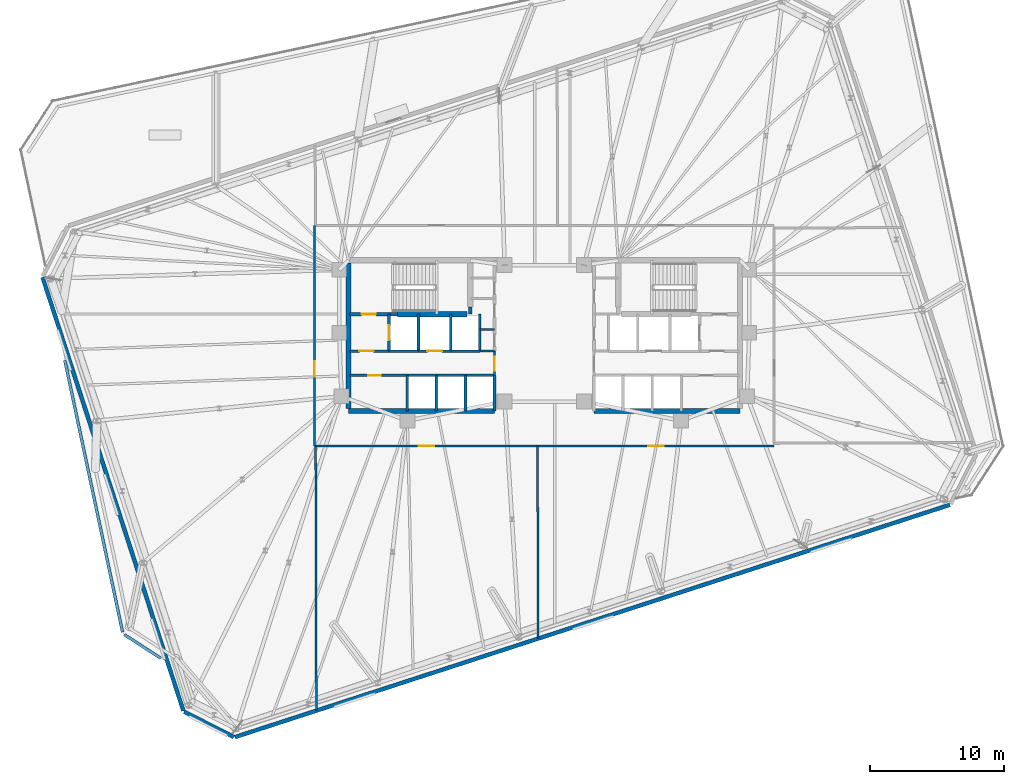
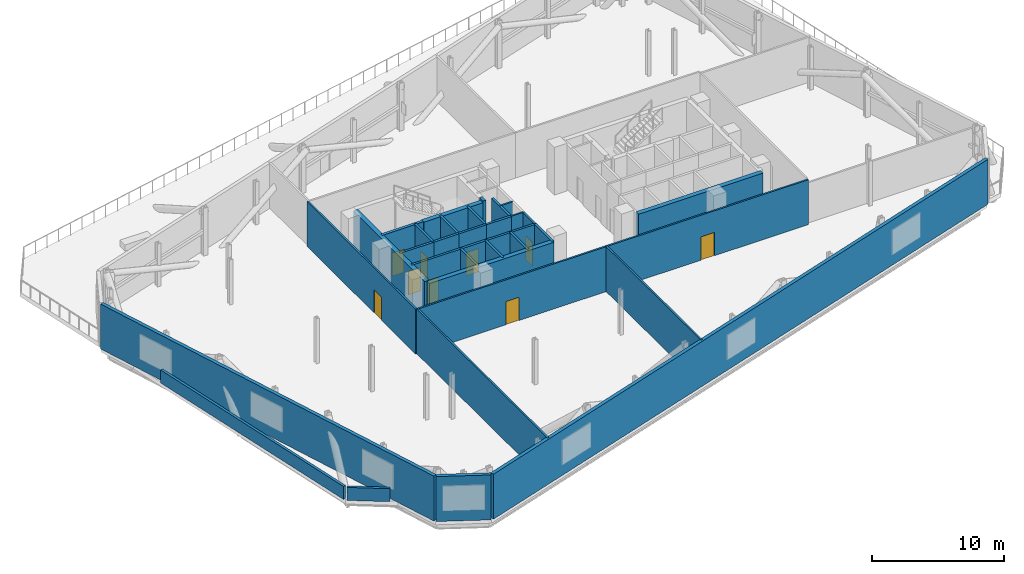
# One storey, part 13 of 16: 32 walls, 9 doors, 9 openings.
"""IFC4 building model written with IfcOpenShell, lengths in metres."""

from ifc_helpers import new_model, si_unit, direction, frame, frame_2d, origin, place, context, subcontext, project, spatial, rectangle, extrude, material, layer, layer_set, type_object, element, fill, save


model = new_model("IFC4")

# Units and contexts
model_context = context("Model", 3, precision=1e-05, world=origin(), true_north=direction((0.0, 1.0)))
body_context = subcontext(model_context, "Body", "Model", "MODEL_VIEW")
ifc_project = project(units=[si_unit("LENGTHUNIT", "METRE"), si_unit("AREAUNIT", "SQUARE_METRE"), si_unit("VOLUMEUNIT", "CUBIC_METRE"), si_unit("PLANEANGLEUNIT", "RADIAN"), si_unit("MASSUNIT", "GRAM", prefix="KILO")], contexts=[model_context])

# Site, building, storey
site_placement = place(None, origin())
site = spatial("IfcSite", under=ifc_project, at=site_placement, CompositionType="ELEMENT")
building_placement = place(site_placement, origin())
building = spatial("IfcBuilding", under=site, at=building_placement, Name="Menara Jurai Vektor", CompositionType="ELEMENT")
storey_placement = place(building_placement, frame((0.0, 0.0, 202.39990234375)))
storey = spatial("IfcBuildingStorey", under=building, at=storey_placement, Name="L53", CompositionType="ELEMENT", Elevation=202.39990234375)

# Walls
ifc_material_1 = material(Name="Insulated Pale Aluminium Spandrel Wall", Category="aluminium")
ifc_layer_1 = layer(ifc_material_1, 0.300048828125)
ifc_layer_set_1 = layer_set([ifc_layer_1], Name="Insulated Pale Aluminium Spandrel Wall")
wall_type_1 = type_object("IfcWallType", Name="ENV-WALL-EXT300", PredefinedType="STANDARD", material=ifc_layer_set_1)
wall_1_placement = place(storey_placement, frame((-23.00634765625, -29.859619140625, 0.0), z_axis=(0.0, 0.0, 1.0), x_axis=(0.951056336628, 0.309017547334, 0.0)))
element("IfcWall", 1, at=wall_1_placement, inside=storey, type_object=wall_type_1, Name="Plant Floor Enclosure Wall L53-01", PredefinedType="STANDARD", context=body_context, shape_type="SweptSolid", body=[
    extrude(rectangle(XDim=55.90966796875, YDim=0.300048828125, at=frame_2d((27.954833984375, 0.0))), origin(), (0.0, 0.0, 1.0), 4.150146484375),
])
wall_2_placement = place(storey_placement, frame((-37.322021484375, 4.345703125, 0.0), z_axis=(0.0, 0.0, 1.0), x_axis=(0.309008906067, -0.951059144308, 0.0)))
element("IfcWall", 2, at=wall_2_placement, inside=storey, type_object=wall_type_1, Name="Plant Floor Enclosure Wall L53-07", PredefinedType="STANDARD", context=body_context, shape_type="SweptSolid", body=[
    extrude(rectangle(XDim=33.91015625, YDim=0.300048828125, at=frame_2d((16.955078125, 0.0))), origin(), (0.0, 0.0, 1.0), 4.150146484375),
])
wall_3_placement = place(storey_placement, frame((-26.789306640625, -27.968017578125, 0.0), z_axis=(0.0, 0.0, 1.0), x_axis=(0.891003151549, -0.453997118856, 0.0)))
element("IfcWall", 3, at=wall_3_placement, inside=storey, type_object=wall_type_1, Name="Plant Floor Enclosure Wall L53-08", PredefinedType="STANDARD", context=body_context, shape_type="SweptSolid", body=[
    extrude(rectangle(XDim=4.152587890625, YDim=0.300048828125, at=frame_2d((2.076171875, 0.0))), origin(), (0.0, 0.0, 1.0), 4.150146484375),
])
ifc_material_2 = material(Name="Concrete C40/50", Category="concrete")
ifc_layer_2 = layer(ifc_material_2, 0.219970703125)
ifc_layer_set_2 = layer_set([ifc_layer_2], Name="Concrete C40/50")
wall_type_2 = type_object("IfcWallType", Name="ENV-WALL-PARAPET220", PredefinedType="PARAPET", material=ifc_layer_set_2)
wall_4_placement = place(storey_placement, frame((-35.66259765625, -1.8388671875, 0.0), z_axis=(0.0, 0.0, 1.0), x_axis=(0.207913740762, -0.978147165002, 0.0)))
element("IfcWall", 4, at=wall_4_placement, inside=storey, type_object=wall_type_2, Name="Roof Parapet Wall L53-SETBACK-02", PredefinedType="PARAPET", context=body_context, shape_type="SweptSolid", body=[
    extrude(rectangle(XDim=20.6572265625, YDim=0.219970703125, at=frame_2d((10.32861328125, 0.0))), origin(), (0.0, 0.0, 1.0), 1.2001953125),
])
wall_5_placement = place(storey_placement, frame((-31.240966796875, -22.22900390625, 0.0), z_axis=(0.0, 0.0, 1.0), x_axis=(0.838666369731, -0.544645499643, 0.0)))
element("IfcWall", 5, at=wall_5_placement, inside=storey, type_object=wall_type_2, Name="Roof Parapet Wall L53-SETBACK-03", PredefinedType="PARAPET", context=body_context, shape_type="SweptSolid", body=[
    extrude(rectangle(XDim=3.229248046875, YDim=0.219970703125, at=frame_2d((1.61474609375, 0.0))), origin(), (0.0, 0.0, 1.0), 1.2001953125),
])

# Wall, opening, door
ifc_layer_3 = layer(ifc_material_2, 0.25)
ifc_layer_set_3 = layer_set([ifc_layer_3], Name="Concrete C40/50")
wall_type_3 = type_object("IfcWallType", Name="INT-WALL-CORE-250", PredefinedType="STANDARD", material=ifc_layer_set_3)
wall_6_placement = place(storey_placement, frame((-14.5, 1.60009765625, 0.0), z_axis=(0.0, 0.0, 1.0), x_axis=(1.0, 0.0, 0.0)))
wall_6 = element("IfcWall", 6, at=wall_6_placement, inside=storey, type_object=wall_type_3, Name="Interior Wall IW-250 L53", PredefinedType="STANDARD", context=body_context, shape_type="SweptSolid", body=[
    extrude(rectangle(XDim=3.60009765625, YDim=0.25, at=frame_2d((1.800048828125, 0.0))), origin(), (0.0, 0.0, 1.0), 4.150146484375),
])
opening_1_placement = place(wall_6_placement, frame((0.919921875, 0.0, 0.0)))
opening_1 = element("IfcOpeningElement", 7, at=opening_1_placement, cuts=wall_6, Name="Opening D-L53-ST1", PredefinedType="OPENING", context=body_context, shape_type="SweptSolid", body=[
    extrude(rectangle(XDim=1.050048828125, YDim=2.14990234375, at=frame_2d((0.52490234375, 1.074951171875))), frame((0.0, 0.135009765625, 0.0), z_axis=(0.0, -1.0, 0.0), x_axis=(1.0, 0.0, 0.0)), (0.0, 0.0, 1.0), 0.27001953125),
])
ifc_material_3 = material(Name="Fire-Rated Steel Door", Category="steel")
door_type_1 = type_object("IfcDoorType", Name="DR-STAIR-1050", OperationType="NOTDEFINED", PredefinedType="DOOR", material=ifc_material_3)
door_1_placement = place(opening_1_placement, origin())
door_1 = element("IfcDoor", 8, at=door_1_placement, inside=storey, type_object=door_type_1, Name="Exit Stair ST1 Door L53", OperationType="SINGLE_SWING_RIGHT", OverallHeight=2.14990234375, OverallWidth=1.050048828125, PredefinedType="DOOR", context=body_context, shape_type="SweptSolid", body=[
    extrude(rectangle(XDim=1.050048828125, YDim=2.14990234375, at=frame_2d((0.52490234375, 1.074951171875))), frame((0.0, 0.02490234375, 0.0), z_axis=(0.0, -1.0, 0.0), x_axis=(1.0, 0.0, 0.0)), (0.0, 0.0, 1.0), 0.050048828125),
])
fill(opening_1, door_1)

# Wall
wall_7_placement = place(storey_placement, frame((-5.5, 1.60009765625, 0.0), z_axis=(0.0, 0.0, 1.0), x_axis=(0.0, 1.0, 0.0)))
element("IfcWall", 9, at=wall_7_placement, inside=storey, type_object=wall_type_3, Name="Interior Wall IW-250 L53", PredefinedType="STANDARD", context=body_context, shape_type="SweptSolid", body=[
    extrude(rectangle(XDim=0.5498046875, YDim=0.25, at=frame_2d((0.27490234375, 0.0))), origin(), (0.0, 0.0, 1.0), 4.150146484375),
])

# Wall, opening, door
wall_8_placement = place(storey_placement, frame((-11.550048828125, -1.14990234375, 0.0), z_axis=(0.0, 0.0, 1.0), x_axis=(0.0, 1.0, 0.0)))
wall_8 = element("IfcWall", 10, at=wall_8_placement, inside=storey, type_object=wall_type_3, Name="Interior Wall IW-250 L53", PredefinedType="STANDARD", context=body_context, shape_type="SweptSolid", body=[
    extrude(rectangle(XDim=2.75, YDim=0.199951171875, at=frame_2d((1.375, 0.0))), origin(), (0.0, 0.0, 1.0), 4.150146484375),
])
opening_2_placement = place(wall_8_placement, frame((0.824951171875, 0.0, 0.0)))
opening_2 = element("IfcOpeningElement", 11, at=opening_2_placement, cuts=wall_8, Name="Opening LD-L53-FL1", PredefinedType="OPENING", context=body_context, shape_type="SweptSolid", body=[
    extrude(rectangle(XDim=1.10009765625, YDim=2.14990234375, at=frame_2d((0.550048828125, 1.074951171875))), frame((0.0, 0.10986328125, 0.0), z_axis=(0.0, -1.0, 0.0), x_axis=(1.0, 0.0, 0.0)), (0.0, 0.0, 1.0), 0.219970703125),
])
ifc_material_4 = material(Name="Stainless Steel Sliding Lift Landing Door", Category="steel")
door_type_2 = type_object("IfcDoorType", Name="DR-LIFT-FIRE-1100", OperationType="NOTDEFINED", PredefinedType="DOOR", material=ifc_material_4)
door_2_placement = place(opening_2_placement, origin())
door_2 = element("IfcDoor", 12, at=door_2_placement, inside=storey, type_object=door_type_2, Name="Lift Landing Door FL1 L53", OperationType="SLIDING_TO_RIGHT", OverallHeight=2.14990234375, OverallWidth=1.10009765625, PredefinedType="DOOR", context=body_context, shape_type="SweptSolid", body=[
    extrude(rectangle(XDim=1.10009765625, YDim=2.14990234375, at=frame_2d((0.550048828125, 1.074951171875))), frame((0.0, 0.02490234375, 0.0), z_axis=(0.0, -1.0, 0.0), x_axis=(1.0, 0.0, 0.0)), (0.0, 0.0, 1.0), 0.050048828125),
])
fill(opening_2, door_2)

# Wall
wall_9_placement = place(storey_placement, frame((-9.35009765625, -1.14990234375, 0.0), z_axis=(0.0, 0.0, 1.0), x_axis=(0.0, 1.0, 0.0)))
element("IfcWall", 13, at=wall_9_placement, inside=storey, type_object=wall_type_3, Name="Interior Wall IW-250 L53", PredefinedType="STANDARD", context=body_context, shape_type="SweptSolid", body=[
    extrude(rectangle(XDim=2.75, YDim=0.199951171875, at=frame_2d((1.375, 0.0))), origin(), (0.0, 0.0, 1.0), 4.150146484375),
])

# Wall, opening, door
wall_10_placement = place(storey_placement, frame((-14.5, -1.14990234375, 0.0), z_axis=(0.0, 0.0, 1.0), x_axis=(1.0, 0.0, 0.0)))
wall_10 = element("IfcWall", 14, at=wall_10_placement, inside=storey, type_object=wall_type_3, Name="Interior Wall IW-250 L53", PredefinedType="STANDARD", context=body_context, shape_type="SweptSolid", body=[
    extrude(rectangle(XDim=2.949951171875, YDim=0.199951171875, at=frame_2d((1.47509765625, 0.0))), origin(), (0.0, 0.0, 1.0), 4.150146484375),
])
opening_3_placement = place(wall_10_placement, frame((0.75, 0.0, 0.0)))
opening_3 = element("IfcOpeningElement", 15, at=opening_3_placement, cuts=wall_10, Name="Opening D-L53-FFW", PredefinedType="OPENING", context=body_context, shape_type="SweptSolid", body=[
    extrude(rectangle(XDim=1.050048828125, YDim=2.179931640625, at=frame_2d((0.52490234375, 1.08984375))), frame((0.0, 0.10986328125, 0.0), z_axis=(0.0, -1.0, 0.0), x_axis=(1.0, 0.0, 0.0)), (0.0, 0.0, 1.0), 0.219970703125),
])
ifc_material_5 = material(Name="Fire-Rated Timber Door", Category="wood")
door_type_3 = type_object("IfcDoorType", Name="DR-LOBBY-1050", OperationType="NOTDEFINED", PredefinedType="DOOR", material=ifc_material_5)
door_3_placement = place(opening_3_placement, origin())
door_3 = element("IfcDoor", 16, at=door_3_placement, inside=storey, type_object=door_type_3, Name="Fire Lift Lobby Door W L53", OperationType="SINGLE_SWING_RIGHT", OverallHeight=2.179931640625, OverallWidth=1.050048828125, PredefinedType="DOOR", context=body_context, shape_type="SweptSolid", body=[
    extrude(rectangle(XDim=1.050048828125, YDim=2.179931640625, at=frame_2d((0.52490234375, 1.08984375))), frame((0.0, 0.02490234375, 0.0), z_axis=(0.0, -1.0, 0.0), x_axis=(1.0, 0.0, 0.0)), (0.0, 0.0, 1.0), 0.050048828125),
])
fill(opening_3, door_3)

# Wall
wall_11_placement = place(storey_placement, frame((-11.550048828125, -1.14990234375, 0.0), z_axis=(0.0, 0.0, 1.0), x_axis=(1.0, 0.0, 0.0)))
element("IfcWall", 17, at=wall_11_placement, inside=storey, type_object=wall_type_3, Name="Interior Wall IW-250 L53", PredefinedType="STANDARD", context=body_context, shape_type="SweptSolid", body=[
    extrude(rectangle(XDim=2.199951171875, YDim=0.199951171875, at=frame_2d((1.10009765625, 0.0))), origin(), (0.0, 0.0, 1.0), 4.150146484375),
])

# Wall, opening, door
ifc_material_6 = material(Name="Gypsum Fireboard Partition", Category="gypsum")
ifc_layer_4 = layer(ifc_material_6, 0.14990234375)
ifc_layer_set_4 = layer_set([ifc_layer_4], Name="Gypsum Fireboard Partition")
wall_type_4 = type_object("IfcWallType", Name="INT-WALL-CORR-150", PredefinedType="PARTITIONING", material=ifc_layer_set_4)
wall_12_placement = place(storey_placement, frame((-3.699951171875, -2.949951171875, 0.0), z_axis=(0.0, 0.0, 1.0), x_axis=(0.0, 1.0, 0.0)))
wall_12 = element("IfcWall", 18, at=wall_12_placement, inside=storey, type_object=wall_type_4, Name="Interior Wall IW-150 L53", PredefinedType="PARTITIONING", context=body_context, shape_type="SweptSolid", body=[
    extrude(rectangle(XDim=1.800048828125, YDim=0.14990234375, at=frame_2d((0.89990234375, 0.0))), origin(), (0.0, 0.0, 1.0), 4.150146484375),
])
opening_4_placement = place(wall_12_placement, frame((0.35009765625, 0.0, 0.0)))
opening_4 = element("IfcOpeningElement", 19, at=opening_4_placement, cuts=wall_12, Name="Opening D-L53-LLW", PredefinedType="OPENING", context=body_context, shape_type="SweptSolid", body=[
    extrude(rectangle(XDim=1.050048828125, YDim=2.179931640625, at=frame_2d((0.52490234375, 1.08984375))), frame((0.0, 0.0849609375, 0.0), z_axis=(0.0, -1.0, 0.0), x_axis=(1.0, 0.0, 0.0)), (0.0, 0.0, 1.0), 0.169921875),
])
door_4_placement = place(opening_4_placement, origin())
door_4 = element("IfcDoor", 20, at=door_4_placement, inside=storey, type_object=door_type_3, Name="Lift Lobby Corridor Door W L53", OperationType="SINGLE_SWING_LEFT", OverallHeight=2.179931640625, OverallWidth=1.050048828125, PredefinedType="DOOR", context=body_context, shape_type="SweptSolid", body=[
    extrude(rectangle(XDim=1.050048828125, YDim=2.179931640625, at=frame_2d((0.52490234375, 1.08984375))), frame((0.0, 0.02490234375, 0.0), z_axis=(0.0, -1.0, 0.0), x_axis=(1.0, 0.0, 0.0)), (0.0, 0.0, 1.0), 0.050048828125),
])
fill(opening_4, door_4)

# Walls
for number, where, z_axis, x_axis, name in (
    (21, (-4.7900390625, -1.14990234375, 0.0), (0.0, 0.0, 1.0), (1.0, 0.0, 0.0), "Interior Wall IW-150 L53"),
    (22, (-4.7900390625, 0.449951171875, 0.0), (0.0, 0.0, 1.0), (1.0, 0.0, 0.0), "Interior Wall IW-150 L53"),
):
    element("IfcWall", number, at=place(storey_placement, frame(where, z_axis=z_axis, x_axis=x_axis)), inside=storey, type_object=wall_type_4, Name=name, PredefinedType="PARTITIONING", context=body_context, shape_type="SweptSolid", body=[
        extrude(rectangle(XDim=1.090087890625, YDim=0.14990234375, at=frame_2d((0.544921875, 0.0))), origin(), (0.0, 0.0, 1.0), 4.150146484375),
    ])

# Wall, opening, door
wall_13_placement = place(storey_placement, frame((-17.0, -8.199951171875, 0.0), z_axis=(0.0, 0.0, 1.0), x_axis=(1.0, 0.0, 0.0)))
wall_13 = element("IfcWall", 23, at=wall_13_placement, inside=storey, type_object=wall_type_4, Name="Interior Wall IW-150 L53", PredefinedType="PARTITIONING", context=body_context, shape_type="SweptSolid", body=[
    extrude(rectangle(XDim=16.5, YDim=0.14990234375, at=frame_2d((8.25, 0.0))), origin(), (0.0, 0.0, 1.0), 4.150146484375),
])
opening_5_placement = place(wall_13_placement, frame((7.675048828125, 0.0, 0.0)))
opening_5 = element("IfcOpeningElement", 24, at=opening_5_placement, cuts=wall_13, Name="Opening D53-10", PredefinedType="OPENING", context=body_context, shape_type="SweptSolid", body=[
    extrude(rectangle(XDim=1.14990234375, YDim=2.14990234375, at=frame_2d((0.574951171875, 1.074951171875))), frame((0.0, 0.0849609375, 0.0), z_axis=(0.0, -1.0, 0.0), x_axis=(1.0, 0.0, 0.0)), (0.0, 0.0, 1.0), 0.169921875),
])
ifc_material_7 = material(Name="Fire-Rated Steel Plant Door", Category="steel")
door_type_4 = type_object("IfcDoorType", Name="DR-PLANT-1150", OperationType="NOTDEFINED", PredefinedType="DOOR", material=ifc_material_7)
door_5_placement = place(opening_5_placement, origin())
door_5 = element("IfcDoor", 25, at=door_5_placement, inside=storey, type_object=door_type_4, Name="Interior Door D53-10", OperationType="SINGLE_SWING_LEFT", OverallHeight=2.14990234375, OverallWidth=1.14990234375, PredefinedType="DOOR", context=body_context, shape_type="SweptSolid", body=[
    extrude(rectangle(XDim=1.14990234375, YDim=2.14990234375, at=frame_2d((0.574951171875, 1.074951171875))), frame((0.0, 0.02490234375, 0.0), z_axis=(0.0, -1.0, 0.0), x_axis=(1.0, 0.0, 0.0)), (0.0, 0.0, 1.0), 0.050048828125),
])
fill(opening_5, door_5)

wall_14_placement = place(storey_placement, frame((-0.5, -8.199951171875, 0.0), z_axis=(0.0, 0.0, 1.0), x_axis=(1.0, 0.0, 0.0)))
wall_14 = element("IfcWall", 26, at=wall_14_placement, inside=storey, type_object=wall_type_4, Name="Interior Wall IW-150 L53", PredefinedType="PARTITIONING", context=body_context, shape_type="SweptSolid", body=[
    extrude(rectangle(XDim=17.60009765625, YDim=0.14990234375, at=frame_2d((8.800048828125, 0.0))), origin(), (0.0, 0.0, 1.0), 4.150146484375),
])
opening_6_placement = place(wall_14_placement, frame((8.22509765625, 0.0, 0.0)))
opening_6 = element("IfcOpeningElement", 27, at=opening_6_placement, cuts=wall_14, Name="Opening D53-11", PredefinedType="OPENING", context=body_context, shape_type="SweptSolid", body=[
    extrude(rectangle(XDim=1.14990234375, YDim=2.14990234375, at=frame_2d((0.574951171875, 1.074951171875))), frame((0.0, 0.0849609375, 0.0), z_axis=(0.0, -1.0, 0.0), x_axis=(1.0, 0.0, 0.0)), (0.0, 0.0, 1.0), 0.169921875),
])
door_6_placement = place(opening_6_placement, origin())
door_6 = element("IfcDoor", 28, at=door_6_placement, inside=storey, type_object=door_type_4, Name="Interior Door D53-11", OperationType="SINGLE_SWING_RIGHT", OverallHeight=2.14990234375, OverallWidth=1.14990234375, PredefinedType="DOOR", context=body_context, shape_type="SweptSolid", body=[
    extrude(rectangle(XDim=1.14990234375, YDim=2.14990234375, at=frame_2d((0.574951171875, 1.074951171875))), frame((0.0, 0.02490234375, 0.0), z_axis=(0.0, -1.0, 0.0), x_axis=(1.0, 0.0, 0.0)), (0.0, 0.0, 1.0), 0.050048828125),
])
fill(opening_6, door_6)

wall_15_placement = place(storey_placement, frame((-17.10009765625, -8.199951171875, 0.0), z_axis=(0.0, 0.0, 1.0), x_axis=(0.0, 1.0, 0.0)))
wall_15 = element("IfcWall", 29, at=wall_15_placement, inside=storey, type_object=wall_type_4, Name="Interior Wall IW-150 L53", PredefinedType="PARTITIONING", context=body_context, shape_type="SweptSolid", body=[
    extrude(rectangle(XDim=16.39990234375, YDim=0.14990234375, at=frame_2d((8.199951171875, 0.0))), origin(), (0.0, 0.0, 1.0), 4.150146484375),
])
opening_7_placement = place(wall_15_placement, frame((5.1650390625, 0.0, 0.0)))
opening_7 = element("IfcOpeningElement", 30, at=opening_7_placement, cuts=wall_15, Name="Opening D53-12", PredefinedType="OPENING", context=body_context, shape_type="SweptSolid", body=[
    extrude(rectangle(XDim=1.14990234375, YDim=2.14990234375, at=frame_2d((0.574951171875, 1.074951171875))), frame((0.0, 0.0849609375, 0.0), z_axis=(0.0, -1.0, 0.0), x_axis=(1.0, 0.0, 0.0)), (0.0, 0.0, 1.0), 0.169921875),
])
door_7_placement = place(opening_7_placement, origin())
door_7 = element("IfcDoor", 31, at=door_7_placement, inside=storey, type_object=door_type_4, Name="Interior Door D53-12", OperationType="SINGLE_SWING_LEFT", OverallHeight=2.14990234375, OverallWidth=1.14990234375, PredefinedType="DOOR", context=body_context, shape_type="SweptSolid", body=[
    extrude(rectangle(XDim=1.14990234375, YDim=2.14990234375, at=frame_2d((0.574951171875, 1.074951171875))), frame((0.0, 0.02490234375, 0.0), z_axis=(0.0, -1.0, 0.0), x_axis=(1.0, 0.0, 0.0)), (0.0, 0.0, 1.0), 0.050048828125),
])
fill(opening_7, door_7)

# Walls
wall_16_placement = place(storey_placement, frame((-0.45361328125, -22.53173828125, 0.0), z_axis=(0.0, 0.0, 1.0), x_axis=(-0.003236614906, 0.999994762148, 0.0)))
element("IfcWall", 32, at=wall_16_placement, inside=storey, type_object=wall_type_4, Name="Interior Wall IW-150 L53", PredefinedType="PARTITIONING", context=body_context, shape_type="SweptSolid", body=[
    extrude(rectangle(XDim=14.331787109375, YDim=0.14990234375, at=frame_2d((7.166015625, 0.0))), origin(), (0.0, 0.0, 1.0), 4.150146484375),
])
wall_17_placement = place(storey_placement, frame((-16.95361328125, -27.89306640625, 0.0), z_axis=(0.0, 0.0, 1.0), x_axis=(-0.002355472434, 0.999997225871, 0.0)))
element("IfcWall", 33, at=wall_17_placement, inside=storey, type_object=wall_type_4, Name="Interior Wall IW-150 L53", PredefinedType="PARTITIONING", context=body_context, shape_type="SweptSolid", body=[
    extrude(rectangle(XDim=19.693115234375, YDim=0.14990234375, at=frame_2d((9.8466796875, 0.0))), origin(), (0.0, 0.0, 1.0), 4.150146484375),
])
ifc_layer_5 = layer(ifc_material_2, 0.199951171875)
ifc_layer_set_5 = layer_set([ifc_layer_5], Name="Concrete C40/50")
wall_type_5 = type_object("IfcWallType", Name="INT-WALL-SHAFT-200", PredefinedType="STANDARD", material=ifc_layer_set_5)
wall_18_placement = place(storey_placement, frame((-3.699951171875, -5.60009765625, 0.0), z_axis=(0.0, 0.0, 1.0), x_axis=(0.0, 1.0, 0.0)))
element("IfcWall", 34, at=wall_18_placement, inside=storey, type_object=wall_type_5, Name="Interior Wall IW-200 L53", PredefinedType="STANDARD", context=body_context, shape_type="SweptSolid", body=[
    extrude(rectangle(XDim=2.650146484375, YDim=0.199951171875, at=frame_2d((1.3251953125, 0.0))), origin(), (0.0, 0.0, 1.0), 4.150146484375),
])
wall_19_placement = place(storey_placement, frame((-6.949951171875, -1.14990234375, 0.0), z_axis=(0.0, 0.0, 1.0), x_axis=(0.0, 1.0, 0.0)))
element("IfcWall", 35, at=wall_19_placement, inside=storey, type_object=wall_type_5, Name="Interior Wall IW-200 L53", PredefinedType="STANDARD", context=body_context, shape_type="SweptSolid", body=[
    extrude(rectangle(XDim=2.75, YDim=0.199951171875, at=frame_2d((1.375, 0.0))), origin(), (0.0, 0.0, 1.0), 4.150146484375),
])

# Wall, opening, door
wall_20_placement = place(storey_placement, frame((-9.35009765625, -1.14990234375, 0.0), z_axis=(0.0, 0.0, 1.0), x_axis=(1.0, 0.0, 0.0)))
wall_20 = element("IfcWall", 36, at=wall_20_placement, inside=storey, type_object=wall_type_5, Name="Interior Wall IW-200 L53", PredefinedType="STANDARD", context=body_context, shape_type="SweptSolid", body=[
    extrude(rectangle(XDim=2.400146484375, YDim=0.199951171875, at=frame_2d((1.2001953125, 0.0))), origin(), (0.0, 0.0, 1.0), 4.150146484375),
])
opening_8_placement = place(wall_20_placement, frame((0.64990234375, 0.0, 0.0)))
opening_8 = element("IfcOpeningElement", 37, at=opening_8_placement, cuts=wall_20, Name="Opening LD-L53-SVL1", PredefinedType="OPENING", context=body_context, shape_type="SweptSolid", body=[
    extrude(rectangle(XDim=1.10009765625, YDim=2.14990234375, at=frame_2d((0.550048828125, 1.074951171875))), frame((0.0, 0.10986328125, 0.0), z_axis=(0.0, -1.0, 0.0), x_axis=(1.0, 0.0, 0.0)), (0.0, 0.0, 1.0), 0.219970703125),
])
ifc_material_8 = material(Name="Anodised Stainless Sliding Lift Landing Door", Category="steel")
door_type_5 = type_object("IfcDoorType", Name="DR-LIFT-PASS-1100", OperationType="NOTDEFINED", PredefinedType="DOOR", material=ifc_material_8)
door_8_placement = place(opening_8_placement, origin())
door_8 = element("IfcDoor", 38, at=door_8_placement, inside=storey, type_object=door_type_5, Name="Lift Landing Door SVL1 L53", OperationType="SLIDING_TO_RIGHT", OverallHeight=2.14990234375, OverallWidth=1.10009765625, PredefinedType="DOOR", context=body_context, shape_type="SweptSolid", body=[
    extrude(rectangle(XDim=1.10009765625, YDim=2.14990234375, at=frame_2d((0.550048828125, 1.074951171875))), frame((0.0, 0.02490234375, 0.0), z_axis=(0.0, -1.0, 0.0), x_axis=(1.0, 0.0, 0.0)), (0.0, 0.0, 1.0), 0.050048828125),
])
fill(opening_8, door_8)

# Walls
wall_21_placement = place(storey_placement, frame((-4.7900390625, -1.14990234375, 0.0), z_axis=(0.0, 0.0, 1.0), x_axis=(0.0, 1.0, 0.0)))
element("IfcWall", 39, at=wall_21_placement, inside=storey, type_object=wall_type_5, Name="Interior Wall IW-200 L53", PredefinedType="STANDARD", context=body_context, shape_type="SweptSolid", body=[
    extrude(rectangle(XDim=2.75, YDim=0.199951171875, at=frame_2d((1.375, 0.0))), origin(), (0.0, 0.0, 1.0), 4.150146484375),
])
wall_22_placement = place(storey_placement, frame((-6.949951171875, -1.14990234375, 0.0), z_axis=(0.0, 0.0, 1.0), x_axis=(1.0, 0.0, 0.0)))
element("IfcWall", 40, at=wall_22_placement, inside=storey, type_object=wall_type_5, Name="Interior Wall IW-200 L53", PredefinedType="STANDARD", context=body_context, shape_type="SweptSolid", body=[
    extrude(rectangle(XDim=2.159912109375, YDim=0.199951171875, at=frame_2d((1.080078125, 0.0))), origin(), (0.0, 0.0, 1.0), 4.150146484375),
])

# Wall, opening, door
wall_23_placement = place(storey_placement, frame((-14.5, -2.949951171875, 0.0), z_axis=(0.0, 0.0, 1.0), x_axis=(1.0, 0.0, 0.0)))
wall_23 = element("IfcWall", 41, at=wall_23_placement, inside=storey, type_object=wall_type_5, Name="Interior Wall IW-200 L53", PredefinedType="STANDARD", context=body_context, shape_type="SweptSolid", body=[
    extrude(rectangle(XDim=10.800048828125, YDim=0.199951171875, at=frame_2d((5.39990234375, 0.0))), origin(), (0.0, 0.0, 1.0), 4.150146484375),
])
opening_9_placement = place(wall_23_placement, frame((1.39990234375, 0.0, 0.0)))
opening_9 = element("IfcOpeningElement", 42, at=opening_9_placement, cuts=wall_23, Name="Opening D53-01", PredefinedType="OPENING", context=body_context, shape_type="SweptSolid", body=[
    extrude(rectangle(XDim=0.949951171875, YDim=2.14990234375, at=frame_2d((0.47509765625, 1.074951171875))), frame((0.0, 0.10986328125, 0.0), z_axis=(0.0, -1.0, 0.0), x_axis=(1.0, 0.0, 0.0)), (0.0, 0.0, 1.0), 0.219970703125),
])
ifc_material_9 = material(Name="Solid Core Timber Fire Door", Category="wood")
door_type_6 = type_object("IfcDoorType", Name="DR-ENTRY-950", OperationType="NOTDEFINED", PredefinedType="DOOR", material=ifc_material_9)
door_9_placement = place(opening_9_placement, origin())
door_9 = element("IfcDoor", 43, at=door_9_placement, inside=storey, type_object=door_type_6, Name="Interior Door D53-01", OperationType="SINGLE_SWING_LEFT", OverallHeight=2.14990234375, OverallWidth=0.949951171875, PredefinedType="DOOR", context=body_context, shape_type="SweptSolid", body=[
    extrude(rectangle(XDim=0.949951171875, YDim=2.14990234375, at=frame_2d((0.47509765625, 1.074951171875))), frame((0.0, 0.02490234375, 0.0), z_axis=(0.0, -1.0, 0.0), x_axis=(1.0, 0.0, 0.0)), (0.0, 0.0, 1.0), 0.050048828125),
])
fill(opening_9, door_9)

# Walls
wall_24_placement = place(storey_placement, frame((-5.860107421875, -5.60009765625, 0.0), z_axis=(0.0, 0.0, 1.0), x_axis=(0.0, 1.0, 0.0)))
element("IfcWall", 44, at=wall_24_placement, inside=storey, type_object=wall_type_5, Name="Interior Wall IW-200 L53", PredefinedType="STANDARD", context=body_context, shape_type="SweptSolid", body=[
    extrude(rectangle(XDim=2.650146484375, YDim=0.199951171875, at=frame_2d((1.3251953125, 0.0))), origin(), (0.0, 0.0, 1.0), 4.150146484375),
])
for number, where, z_axis, x_axis, name in (
    (45, (-10.179931640625, -5.60009765625, 0.0), (0.0, 0.0, 1.0), (0.0, 1.0, 0.0), "Interior Wall IW-200 L53"),
    (46, (-8.02001953125, -5.60009765625, 0.0), (0.0, 0.0, 1.0), (0.0, 1.0, 0.0), "Interior Wall IW-200 L53"),
):
    element("IfcWall", number, at=place(storey_placement, frame(where, z_axis=z_axis, x_axis=x_axis)), inside=storey, type_object=wall_type_5, Name=name, PredefinedType="STANDARD", context=body_context, shape_type="SweptSolid", body=[
        extrude(rectangle(XDim=2.650146484375, YDim=0.179931640625, at=frame_2d((1.3251953125, 0.0))), origin(), (0.0, 0.0, 1.0), 4.150146484375),
    ])
ifc_material_10 = material(Name="Concrete C50/60", Category="concrete")
ifc_layer_6 = layer(ifc_material_10, 0.39990234375)
ifc_layer_set_6 = layer_set([ifc_layer_6], Name="Concrete C50/60")
wall_type_6 = type_object("IfcWallType", Name="STR-WALL-CORE400", PredefinedType="SHEAR", material=ifc_layer_set_6)
wall_25_placement = place(storey_placement, frame((-14.56005859375, -5.60009765625, 0.0), z_axis=(0.0, 0.0, 1.0), x_axis=(1.0, 0.0, 0.0)))
element("IfcWall", 47, at=wall_25_placement, inside=storey, type_object=wall_type_6, Name="Core Shear Wall CW-W-S L53", PredefinedType="SHEAR", context=body_context, shape_type="SweptSolid", body=[
    extrude(rectangle(XDim=10.860107421875, YDim=0.39990234375, at=frame_2d((5.43017578125, 0.0))), origin(), (0.0, 0.0, 1.0), 4.150146484375),
])
wall_26_placement = place(storey_placement, frame((-14.56005859375, -5.39990234375, 0.0), z_axis=(0.0, 0.0, 1.0), x_axis=(0.0, 1.0, 0.0)))
element("IfcWall", 48, at=wall_26_placement, inside=storey, type_object=wall_type_6, Name="Core Shear Wall CW-W-W L53", PredefinedType="SHEAR", context=body_context, shape_type="SweptSolid", body=[
    extrude(rectangle(XDim=10.7998046875, YDim=0.39990234375, at=frame_2d((5.39990234375, 0.0))), origin(), (0.0, 0.0, 1.0), 4.150146484375),
])
wall_27_placement = place(storey_placement, frame((-10.89990234375, 1.60009765625, 0.0), z_axis=(0.0, 0.0, 1.0), x_axis=(1.0, 0.0, 0.0)))
element("IfcWall", 49, at=wall_27_placement, inside=storey, type_object=wall_type_6, Name="Core Shear Wall CW-W-STS L53", PredefinedType="SHEAR", context=body_context, shape_type="SweptSolid", body=[
    extrude(rectangle(XDim=5.14990234375, YDim=0.39990234375, at=frame_2d((2.574951171875, 0.0))), origin(), (0.0, 0.0, 1.0), 4.150146484375),
])
wall_28_placement = place(storey_placement, frame((3.699951171875, -5.60009765625, 0.0), z_axis=(0.0, 0.0, 1.0), x_axis=(1.0, 0.0, 0.0)))
element("IfcWall", 50, at=wall_28_placement, inside=storey, type_object=wall_type_6, Name="Core Shear Wall CW-E-S L53", PredefinedType="SHEAR", context=body_context, shape_type="SweptSolid", body=[
    extrude(rectangle(XDim=10.860107421875, YDim=0.39990234375, at=frame_2d((5.43017578125, 0.0))), origin(), (0.0, 0.0, 1.0), 4.150146484375),
])

save(model, "model.ifc")
